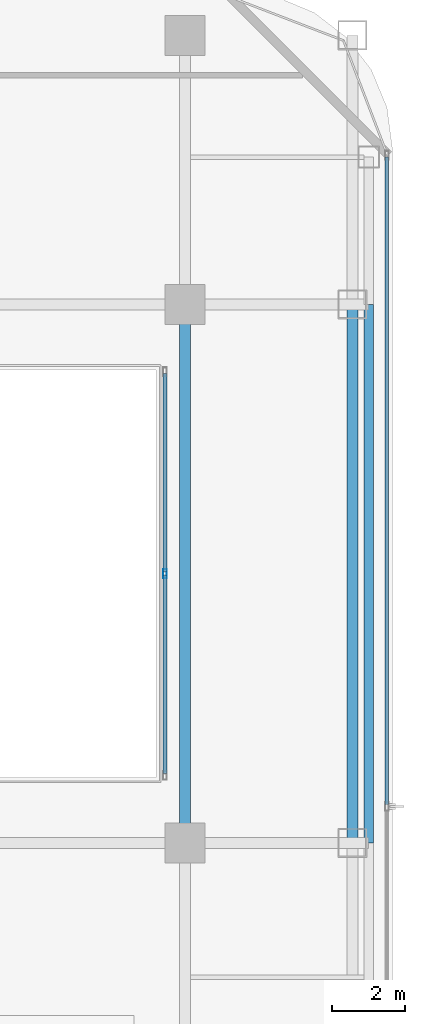
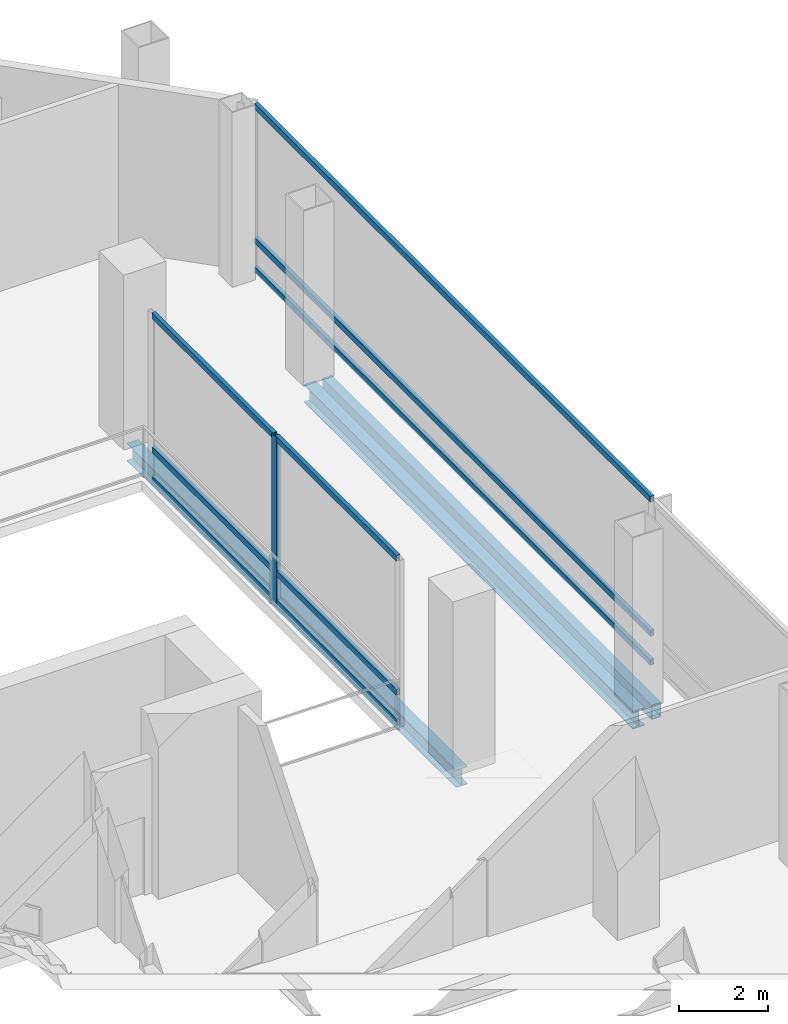
# One storey, part 10 of 22: 10 members, 3 beams, 2 elements without a shape of their own.
"""IFC4 building model written with IfcOpenShell, lengths in metres."""

from ifc_helpers import new_model, si_unit, direction, frame, origin, origin_2d, place, context, subcontext, project, spatial, hollow_rectangle, i_section, extrude, material, layer, layer_set, material_profile, profile_set, type_object, element, aggregate, save


model = new_model("IFC4")

# Units and contexts
model_context = context("Model", 3, precision=1e-05, world=origin(), true_north=direction((0.0, 1.0)))
body_context = subcontext(model_context, "Body", "Model", "MODEL_VIEW")
ifc_project = project(units=[si_unit("LENGTHUNIT", "METRE"), si_unit("AREAUNIT", "SQUARE_METRE"), si_unit("VOLUMEUNIT", "CUBIC_METRE"), si_unit("PLANEANGLEUNIT", "RADIAN"), si_unit("MASSUNIT", "GRAM", prefix="KILO")], contexts=[model_context])

# Site, building, storey
site_placement = place(None, origin())
site = spatial("IfcSite", under=ifc_project, at=site_placement, CompositionType="ELEMENT")
building_placement = place(site_placement, origin())
building = spatial("IfcBuilding", under=site, at=building_placement, Name="Khorvyn Point Tower", CompositionType="ELEMENT")
storey_placement = place(building_placement, frame((0.0, 0.0, 210.89990234375)))
storey = spatial("IfcBuildingStorey", under=building, at=storey_placement, Name="L52", CompositionType="ELEMENT", Elevation=210.89990234375)

# Curtain wall, member
ifc_material_1 = material(Name="Anodised aluminium 6063-T6 and laminated Low-E glass", Category="aluminium")
ifc_layer_1 = layer(ifc_material_1, 0.18994140625)
ifc_layer_set_1 = layer_set([ifc_layer_1], Name="Stick-Built Crystal Atrium Curtain Wall CW-SYS-06")
curtain_wall_type_1 = type_object("IfcCurtainWallType", Name="Stick-Built Crystal Atrium Curtain Wall CW-SYS-06", PredefinedType="NOTDEFINED", material=ifc_layer_set_1)
curtain_wall_1_placement = place(storey_placement, origin())
curtain_wall_1 = element("IfcCurtainWall", 1, at=curtain_wall_1_placement, inside=storey, type_object=curtain_wall_type_1, Name="Curtain Wall", PredefinedType="NOTDEFINED")
ifc_material_2 = material(Name="Anodised aluminium 6063-T6", Category="aluminium")
ifc_material_profile_1 = material_profile(ifc_material_2, hollow_rectangle(XDim=0.10009765625, YDim=0.239990234375, WallThickness=0.0048828125, at=origin_2d()))
ifc_profile_set_1 = profile_set([ifc_material_profile_1], Name="Anodised aluminium 6063-T6 ALU-MUL-100x240")
member_type_1 = type_object("IfcMemberType", Name="Anodised Aluminium 6063-T6 Mullion ALU-MUL-100x240", PredefinedType="MULLION", material=ifc_profile_set_1)
member_1_placement = place(storey_placement, frame((14.25, 0.0, 0.0), z_axis=(0.0, 0.0, 1.0), x_axis=(-1.0, 0.0, 0.0)))
member_1 = element("IfcMember", 2, at=member_1_placement, type_object=member_type_1, Name="Transom", PredefinedType="MULLION", context=body_context, shape_type="SweptSolid", body=[
    extrude(hollow_rectangle(XDim=0.10009765625, YDim=0.239990234375, WallThickness=0.0048828125, at=origin_2d()), origin(), (0.0, 0.0, 1.0), 4.580078125),
])

# Curtain wall, members
ifc_layer_2 = layer(ifc_material_1, 0.18994140625)
ifc_layer_set_2 = layer_set([ifc_layer_2], Name="Stick-Built Sky-Lobby Curtain Wall CW-SYS-05")
curtain_wall_type_2 = type_object("IfcCurtainWallType", Name="Stick-Built Sky-Lobby Curtain Wall CW-SYS-05", PredefinedType="NOTDEFINED", material=ifc_layer_set_2)
curtain_wall_2_placement = place(storey_placement, origin())
curtain_wall_2 = element("IfcCurtainWall", 3, at=curtain_wall_2_placement, inside=storey, type_object=curtain_wall_type_2, Name="Curtain Wall", PredefinedType="NOTDEFINED")
ifc_material_profile_2 = material_profile(ifc_material_2, hollow_rectangle(XDim=0.10009765625, YDim=0.159912109375, WallThickness=0.00439453125, at=origin_2d()))
ifc_profile_set_2 = profile_set([ifc_material_profile_2], Name="Anodised aluminium 6063-T6 ALU-TRN-100x160")
member_type_2 = type_object("IfcMemberType", Name="Anodised Aluminium 6063-T6 Transom ALU-TRN-100x160", PredefinedType="USERDEFINED", material=ifc_profile_set_2)
member_2_placement = place(storey_placement, frame((20.35009765625, 11.449951171875, 0.050048828125), z_axis=(0.0, -1.0, 0.0), x_axis=(1.0, 0.0, 0.0)))
member_2 = element("IfcMember", 4, at=member_2_placement, type_object=member_type_2, Name="Transom", ObjectType="TRANSOM", PredefinedType="USERDEFINED", context=body_context, shape_type="SweptSolid", body=[
    extrude(hollow_rectangle(XDim=0.10009765625, YDim=0.159912109375, WallThickness=0.00439453125, at=origin_2d()), origin(), (0.0, 0.0, 1.0), 17.800048828125),
])
member_3_placement = place(storey_placement, frame((20.35009765625, 11.449951171875, 0.85009765625), z_axis=(0.0, -1.0, 0.0), x_axis=(1.0, 0.0, 0.0)))
member_3 = element("IfcMember", 5, at=member_3_placement, type_object=member_type_2, Name="Transom", ObjectType="TRANSOM", PredefinedType="USERDEFINED", context=body_context, shape_type="SweptSolid", body=[
    extrude(hollow_rectangle(XDim=0.10009765625, YDim=0.159912109375, WallThickness=0.00439453125, at=origin_2d()), origin(), (0.0, 0.0, 1.0), 17.800048828125),
])
member_4_placement = place(storey_placement, frame((20.35009765625, 11.449951171875, 4.530029296875), z_axis=(0.0, -1.0, 0.0), x_axis=(1.0, 0.0, 0.0)))
member_4 = element("IfcMember", 6, at=member_4_placement, type_object=member_type_2, Name="Transom", ObjectType="TRANSOM", PredefinedType="USERDEFINED", context=body_context, shape_type="SweptSolid", body=[
    extrude(hollow_rectangle(XDim=0.10009765625, YDim=0.159912109375, WallThickness=0.00439453125, at=origin_2d()), origin(), (0.0, 0.0, 1.0), 17.800048828125),
])
aggregate(curtain_wall_2, [member_2, member_3, member_4])

# Member
member_5_placement = place(storey_placement, frame((14.25, -5.5, 0.050048828125), z_axis=(0.0, 1.0, 0.0), x_axis=(-1.0, 0.0, 0.0)))
member_5 = element("IfcMember", 7, at=member_5_placement, type_object=member_type_2, Name="Transom", ObjectType="TRANSOM", PredefinedType="USERDEFINED", context=body_context, shape_type="SweptSolid", body=[
    extrude(hollow_rectangle(XDim=0.10009765625, YDim=0.159912109375, WallThickness=0.00439453125, at=origin_2d()), origin(), (0.0, 0.0, 1.0), 5.449951171875),
])

member_6_placement = place(storey_placement, frame((14.25, -5.5, 0.85009765625), z_axis=(0.0, 1.0, 0.0), x_axis=(-1.0, 0.0, 0.0)))
member_6 = element("IfcMember", 8, at=member_6_placement, type_object=member_type_2, Name="Transom", ObjectType="TRANSOM", PredefinedType="USERDEFINED", context=body_context, shape_type="SweptSolid", body=[
    extrude(hollow_rectangle(XDim=0.10009765625, YDim=0.159912109375, WallThickness=0.00439453125, at=origin_2d()), origin(), (0.0, 0.0, 1.0), 5.449951171875),
])

member_7_placement = place(storey_placement, frame((14.25, -5.5, 4.530029296875), z_axis=(0.0, 1.0, 0.0), x_axis=(-1.0, 0.0, 0.0)))
member_7 = element("IfcMember", 9, at=member_7_placement, type_object=member_type_2, Name="Transom", ObjectType="TRANSOM", PredefinedType="USERDEFINED", context=body_context, shape_type="SweptSolid", body=[
    extrude(hollow_rectangle(XDim=0.10009765625, YDim=0.159912109375, WallThickness=0.00439453125, at=origin_2d()), origin(), (0.0, 0.0, 1.0), 5.449951171875),
])

member_8_placement = place(storey_placement, frame((14.25, 0.050048828125, 0.050048828125), z_axis=(0.0, 1.0, 0.0), x_axis=(-1.0, 0.0, 0.0)))
member_8 = element("IfcMember", 10, at=member_8_placement, type_object=member_type_2, Name="Transom", ObjectType="TRANSOM", PredefinedType="USERDEFINED", context=body_context, shape_type="SweptSolid", body=[
    extrude(hollow_rectangle(XDim=0.10009765625, YDim=0.159912109375, WallThickness=0.00439453125, at=origin_2d()), origin(), (0.0, 0.0, 1.0), 5.449951171875),
])

member_9_placement = place(storey_placement, frame((14.25, 0.050048828125, 0.85009765625), z_axis=(0.0, 1.0, 0.0), x_axis=(-1.0, 0.0, 0.0)))
member_9 = element("IfcMember", 11, at=member_9_placement, type_object=member_type_2, Name="Transom", ObjectType="TRANSOM", PredefinedType="USERDEFINED", context=body_context, shape_type="SweptSolid", body=[
    extrude(hollow_rectangle(XDim=0.10009765625, YDim=0.159912109375, WallThickness=0.00439453125, at=origin_2d()), origin(), (0.0, 0.0, 1.0), 5.449951171875),
])

member_10_placement = place(storey_placement, frame((14.25, 0.050048828125, 4.530029296875), z_axis=(0.0, 1.0, 0.0), x_axis=(-1.0, 0.0, 0.0)))
member_10 = element("IfcMember", 12, at=member_10_placement, type_object=member_type_2, Name="Transom", ObjectType="TRANSOM", PredefinedType="USERDEFINED", context=body_context, shape_type="SweptSolid", body=[
    extrude(hollow_rectangle(XDim=0.10009765625, YDim=0.159912109375, WallThickness=0.00439453125, at=origin_2d()), origin(), (0.0, 0.0, 1.0), 5.449951171875),
])

aggregate(curtain_wall_1, [member_1, member_5, member_6, member_7, member_8, member_9, member_10])

# Beams
ifc_material_3 = material(Name="Steel S355", Category="steel")
ifc_material_profile_3 = material_profile(ifc_material_3, i_section(OverallWidth=0.300048828125, OverallDepth=0.488037109375, WebThickness=0.010986328125, FlangeThickness=0.01806640625, at=origin_2d()))
ifc_profile_set_3 = profile_set([ifc_material_profile_3], Name="Steel S355 H488x300x11x18")
beam_type_1 = type_object("IfcBeamType", Name="Steel S355 Spandrel H488x300x11x18", PredefinedType="SPANDREL", material=ifc_profile_set_3)
for number, where, z_axis, x_axis, name in (
    (13, (14.800048828125, -7.39990234375, -0.52392578125), (0.0, 1.0, 0.0), (-1.0, 0.0, 0.0), "Beam"),
    (14, (19.39990234375, -7.39990234375, -0.52392578125), (0.0, 1.0, 0.0), (-1.0, 0.0, 0.0), "Beam"),
):
    element("IfcBeam", number, at=place(storey_placement, frame(where, z_axis=z_axis, x_axis=x_axis)), inside=storey, type_object=beam_type_1, Name=name, PredefinedType="SPANDREL", context=body_context, shape_type="SweptSolid", body=[
        extrude(i_section(OverallWidth=0.300048828125, OverallDepth=0.488037109375, WebThickness=0.010986328125, FlangeThickness=0.01806640625, at=origin_2d()), origin(), (0.0, 0.0, 1.0), 14.7998046875),
    ])
ifc_material_profile_4 = material_profile(ifc_material_3, hollow_rectangle(XDim=0.25, YDim=0.39990234375, WallThickness=0.01611328125, at=origin_2d()))
ifc_profile_set_4 = profile_set([ifc_material_profile_4], Name="Steel S355 RHS400x250x16")
beam_type_2 = type_object("IfcBeamType", Name="Steel S355 Spandrel RHS400x250x16", PredefinedType="SPANDREL", material=ifc_profile_set_4)
beam_placement = place(storey_placement, frame((19.85009765625, -7.39990234375, -0.47998046875), z_axis=(0.0, 1.0, 0.0), x_axis=(-1.0, 0.0, 0.0)))
element("IfcBeam", 15, at=beam_placement, inside=storey, type_object=beam_type_2, Name="Beam", PredefinedType="SPANDREL", context=body_context, shape_type="SweptSolid", body=[
    extrude(hollow_rectangle(XDim=0.25, YDim=0.39990234375, WallThickness=0.01611328125, at=origin_2d()), origin(), (0.0, 0.0, 1.0), 14.7998046875),
])

save(model, "model.ifc")
